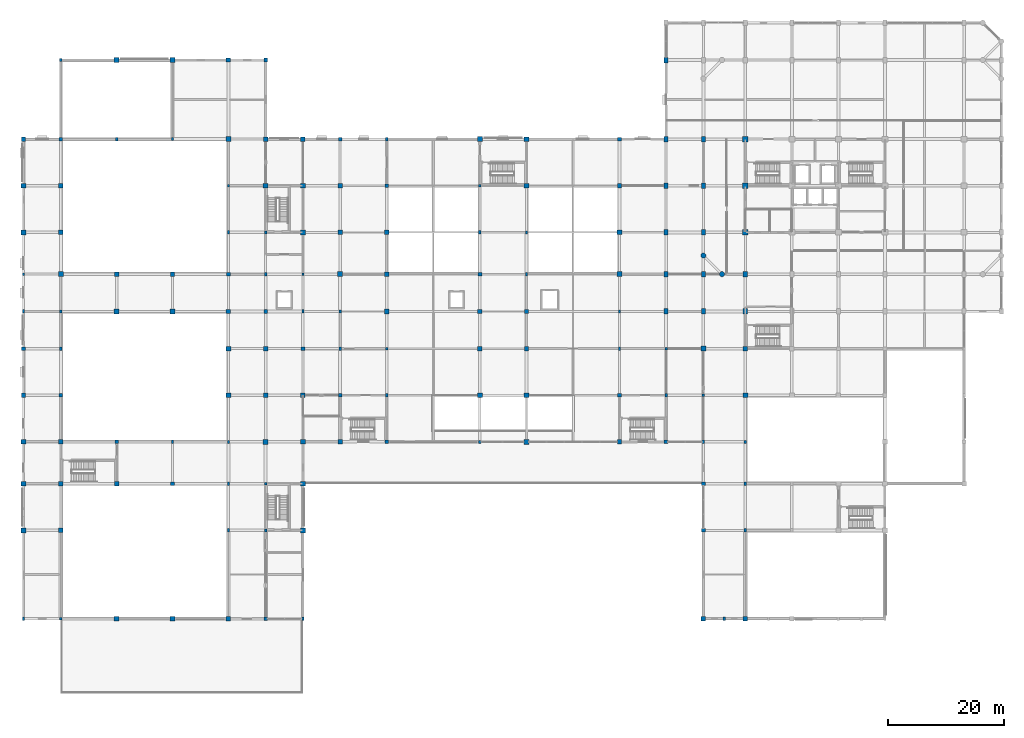
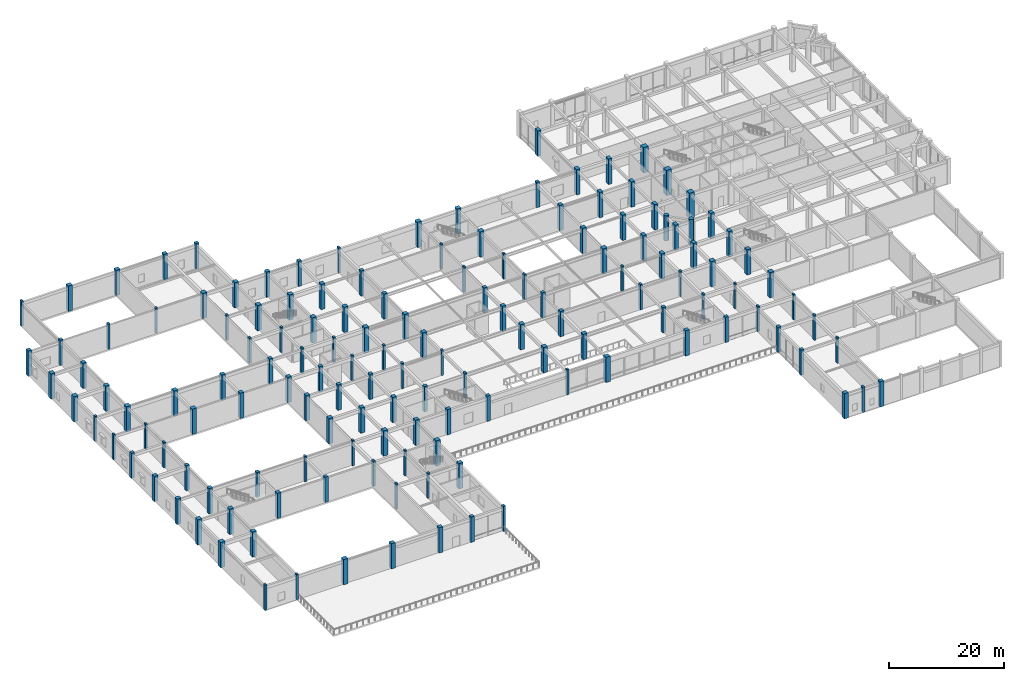
# One storey, part 1 of 36: 146 columns.
"""IFC4 building model written with IfcOpenShell, lengths in metres."""

from ifc_helpers import new_model, si_unit, direction, frame, origin, origin_2d, place, context, subcontext, project, spatial, rectangle, circle, extrude, material, material_profile, profile_set, type_object, element, save


model = new_model("IFC4")

# Units and contexts
model_context = context("Model", 3, precision=1e-05, world=origin(), true_north=direction((0.0, 1.0)))
body_context = subcontext(model_context, "Body", "Model", "MODEL_VIEW")
ifc_project = project(units=[si_unit("LENGTHUNIT", "METRE"), si_unit("AREAUNIT", "SQUARE_METRE"), si_unit("VOLUMEUNIT", "CUBIC_METRE"), si_unit("PLANEANGLEUNIT", "RADIAN"), si_unit("MASSUNIT", "GRAM", prefix="KILO")], contexts=[model_context])

# Site, building, storey
site_placement = place(None, origin())
site = spatial("IfcSite", under=ifc_project, at=site_placement, CompositionType="ELEMENT")
building_placement = place(site_placement, origin())
building = spatial("IfcBuilding", under=site, at=building_placement, Name="Vellmiral Cinema and Media Centre", CompositionType="ELEMENT")
storey_placement = place(building_placement, frame((0.0, 0.0, 5.39990234375)))
storey = spatial("IfcBuildingStorey", under=building, at=storey_placement, Name="L01", CompositionType="ELEMENT", Elevation=5.39990234375)

# Columns
ifc_material_1 = material(Name="Concrete C40/50", Category="concrete")
ifc_material_profile_1 = material_profile(ifc_material_1, rectangle(XDim=1.0, YDim=1.0, at=origin_2d()), Name="RC 1000x1000")
ifc_profile_set_1 = profile_set([ifc_material_profile_1], Name="Concrete C40/50")
column_type_1 = type_object("IfcColumnType", Name="COL-RC-1000x1000", PredefinedType="COLUMN", material=ifc_profile_set_1)
for number, where, z_axis, x_axis, name in (
    (1, (124.0, 79.199951171875, 0.0), (0.0, 0.0, 1.0), (1.0, 0.0, 0.0), "Column L01-148"),
    (2, (124.0, 87.199951171875, 0.0), (0.0, 0.0, 1.0), (1.0, 0.0, 0.0), "Column L01-149"),
    (3, (124.0, 95.199951171875, 0.0), (0.0, 0.0, 1.0), (1.0, 0.0, 0.0), "Column L01-150"),
):
    element("IfcColumn", number, at=place(storey_placement, frame(where, z_axis=z_axis, x_axis=x_axis)), inside=storey, type_object=column_type_1, Name=name, PredefinedType="COLUMN", context=body_context, shape_type="SweptSolid", body=[
        extrude(rectangle(XDim=1.0, YDim=1.0, at=origin_2d()), origin(), (0.0, 0.0, 1.0), 5.400146484375),
    ])
ifc_material_2 = material(Name="Concrete C40/50", Category="concrete")
ifc_material_profile_2 = material_profile(ifc_material_2, rectangle(XDim=0.39990234375, YDim=0.5, at=origin_2d()), Name="RC 400x500")
ifc_profile_set_2 = profile_set([ifc_material_profile_2], Name="Concrete C40/50")
column_type_2 = type_object("IfcColumnType", Name="COL-RC-400x500", PredefinedType="COLUMN", material=ifc_profile_set_2)
for number, where, z_axis, x_axis, name in (
    (4, (0.0, 72.0, 0.0), (0.0, 0.0, 1.0), (1.0, 0.0, 0.0), "Column L01-008"),
    (5, (6.39990234375, 12.800048828125, 0.0), (0.0, 0.0, 1.0), (1.0, 0.0, 0.0), "Column L01-012"),
    (6, (6.39990234375, 65.60009765625, 0.0), (0.0, 0.0, 1.0), (1.0, 0.0, 0.0), "Column L01-018"),
    (7, (6.39990234375, 108.800048828125, 0.0), (0.0, 0.0, 1.0), (1.0, 0.0, 0.0), "Column L01-023"),
    (8, (25.60009765625, 95.199951171875, 0.0), (0.0, 0.0, 1.0), (1.0, 0.0, 0.0), "Column L01-036"),
    (9, (35.199951171875, 43.199951171875, 0.0), (0.0, 0.0, 1.0), (1.0, 0.0, 0.0), "Column L01-041"),
    (10, (35.199951171875, 87.199951171875, 0.0), (0.0, 0.0, 1.0), (1.0, 0.0, 0.0), "Column L01-047"),
    (11, (41.60009765625, 28.0, 0.0), (0.0, 0.0, 1.0), (1.0, 0.0, 0.0), "Column L01-051"),
    (12, (41.60009765625, 36.0, 0.0), (0.0, 0.0, 1.0), (1.0, 0.0, 0.0), "Column L01-052"),
    (13, (41.60009765625, 79.199951171875, 0.0), (0.0, 0.0, 1.0), (1.0, 0.0, 0.0), "Column L01-058"),
    (14, (48.0, 72.0, 0.0), (0.0, 0.0, 1.0), (1.0, 0.0, 0.0), "Column L01-069"),
    (15, (54.39990234375, 65.60009765625, 0.0), (0.0, 0.0, 1.0), (1.0, 0.0, 0.0), "Column L01-076"),
    (16, (62.39990234375, 59.199951171875, 0.0), (0.0, 0.0, 1.0), (1.0, 0.0, 0.0), "Column L01-083"),
    (17, (78.39990234375, 43.199951171875, 0.0), (0.0, 0.0, 1.0), (1.0, 0.0, 0.0), "Column L01-089"),
    (18, (78.39990234375, 87.199951171875, 0.0), (0.0, 0.0, 1.0), (1.0, 0.0, 0.0), "Column L01-095"),
    (19, (86.39990234375, 79.199951171875, 0.0), (0.0, 0.0, 1.0), (1.0, 0.0, 0.0), "Column L01-102"),
    (20, (102.39990234375, 65.60009765625, 0.0), (0.0, 0.0, 1.0), (1.0, 0.0, 0.0), "Column L01-108"),
    (21, (110.39990234375, 59.199951171875, 0.0), (0.0, 0.0, 1.0), (1.0, 0.0, 0.0), "Column L01-115"),
    (22, (116.800048828125, 51.199951171875, 0.0), (0.0, 0.0, 1.0), (1.0, 0.0, 0.0), "Column L01-127"),
    (23, (124.0, 43.199951171875, 0.0), (0.0, 0.0, 1.0), (1.0, 0.0, 0.0), "Column L01-143"),
):
    element("IfcColumn", number, at=place(storey_placement, frame(where, z_axis=z_axis, x_axis=x_axis)), inside=storey, type_object=column_type_2, Name=name, PredefinedType="COLUMN", context=body_context, shape_type="SweptSolid", body=[
        extrude(rectangle(XDim=0.39990234375, YDim=0.5, at=origin_2d()), origin(), (0.0, 0.0, 1.0), 5.400146484375),
    ])
ifc_material_3 = material(Name="Concrete C40/50", Category="concrete")
ifc_material_profile_3 = material_profile(ifc_material_3, rectangle(XDim=0.39990234375, YDim=0.60009765625, at=origin_2d()), Name="RC 400x600")
ifc_profile_set_3 = profile_set([ifc_material_profile_3], Name="Concrete C40/50")
column_type_3 = type_object("IfcColumnType", Name="COL-RC-400x600", PredefinedType="COLUMN", material=ifc_profile_set_3)
for number, where, z_axis, x_axis, name in (
    (24, (0.0, 12.800048828125, 0.0), (0.0, 0.0, 1.0), (1.0, 0.0, 0.0), "Column L01-001"),
    (25, (0.0, 65.60009765625, 0.0), (0.0, 0.0, 1.0), (1.0, 0.0, 0.0), "Column L01-007"),
    (26, (6.39990234375, 59.199951171875, 0.0), (0.0, 0.0, 1.0), (1.0, 0.0, 0.0), "Column L01-017"),
    (27, (16.0, 95.199951171875, 0.0), (0.0, 0.0, 1.0), (1.0, 0.0, 0.0), "Column L01-029"),
    (28, (25.60009765625, 43.199951171875, 0.0), (0.0, 0.0, 1.0), (1.0, 0.0, 0.0), "Column L01-033"),
    (29, (35.199951171875, 28.0, 0.0), (0.0, 0.0, 1.0), (1.0, 0.0, 0.0), "Column L01-039"),
    (30, (35.199951171875, 36.0, 0.0), (0.0, 0.0, 1.0), (1.0, 0.0, 0.0), "Column L01-040"),
    (31, (35.199951171875, 79.199951171875, 0.0), (0.0, 0.0, 1.0), (1.0, 0.0, 0.0), "Column L01-046"),
    (32, (41.60009765625, 72.0, 0.0), (0.0, 0.0, 1.0), (1.0, 0.0, 0.0), "Column L01-057"),
    (33, (48.0, 12.800048828125, 0.0), (0.0, 0.0, 1.0), (1.0, 0.0, 0.0), "Column L01-062"),
    (34, (48.0, 65.60009765625, 0.0), (0.0, 0.0, 1.0), (1.0, 0.0, 0.0), "Column L01-068"),
    (35, (54.39990234375, 59.199951171875, 0.0), (0.0, 0.0, 1.0), (1.0, 0.0, 0.0), "Column L01-075"),
    (36, (62.39990234375, 51.199951171875, 0.0), (0.0, 0.0, 1.0), (1.0, 0.0, 0.0), "Column L01-082"),
    (37, (62.39990234375, 95.199951171875, 0.0), (0.0, 0.0, 1.0), (1.0, 0.0, 0.0), "Column L01-088"),
    (38, (78.39990234375, 79.199951171875, 0.0), (0.0, 0.0, 1.0), (1.0, 0.0, 0.0), "Column L01-094"),
    (39, (86.39990234375, 72.0, 0.0), (0.0, 0.0, 1.0), (1.0, 0.0, 0.0), "Column L01-101"),
    (40, (102.39990234375, 59.199951171875, 0.0), (0.0, 0.0, 1.0), (1.0, 0.0, 0.0), "Column L01-107"),
    (41, (110.39990234375, 51.199951171875, 0.0), (0.0, 0.0, 1.0), (1.0, 0.0, 0.0), "Column L01-114"),
    (42, (116.800048828125, 43.199951171875, 0.0), (0.0, 0.0, 1.0), (1.0, 0.0, 0.0), "Column L01-126"),
    (43, (124.0, 28.0, 0.0), (0.0, 0.0, 1.0), (1.0, 0.0, 0.0), "Column L01-141"),
    (44, (124.0, 36.0, 0.0), (0.0, 0.0, 1.0), (1.0, 0.0, 0.0), "Column L01-142"),
):
    element("IfcColumn", number, at=place(storey_placement, frame(where, z_axis=z_axis, x_axis=x_axis)), inside=storey, type_object=column_type_3, Name=name, PredefinedType="COLUMN", context=body_context, shape_type="SweptSolid", body=[
        extrude(rectangle(XDim=0.39990234375, YDim=0.60009765625, at=origin_2d()), origin(), (0.0, 0.0, 1.0), 5.400146484375),
    ])
ifc_material_4 = material(Name="Concrete C40/50", Category="concrete")
ifc_material_profile_4 = material_profile(ifc_material_4, rectangle(XDim=0.64990234375, YDim=0.64990234375, at=origin_2d()), Name="RC 650x650")
ifc_profile_set_4 = profile_set([ifc_material_profile_4], Name="Concrete C40/50")
column_type_4 = type_object("IfcColumnType", Name="COL-RC-650x650", PredefinedType="COLUMN", material=ifc_profile_set_4)
for number, where, z_axis, x_axis, name in (
    (45, (0.0, 59.199951171875, 0.0), (0.0, 0.0, 1.0), (1.0, 0.0, 0.0), "Column L01-006"),
    (46, (6.39990234375, 51.199951171875, 0.0), (0.0, 0.0, 1.0), (1.0, 0.0, 0.0), "Column L01-016"),
    (47, (6.39990234375, 95.199951171875, 0.0), (0.0, 0.0, 1.0), (1.0, 0.0, 0.0), "Column L01-022"),
    (48, (16.0, 43.199951171875, 0.0), (0.0, 0.0, 1.0), (1.0, 0.0, 0.0), "Column L01-026"),
    (49, (25.60009765625, 36.0, 0.0), (0.0, 0.0, 1.0), (1.0, 0.0, 0.0), "Column L01-032"),
    (50, (35.199951171875, 72.0, 0.0), (0.0, 0.0, 1.0), (1.0, 0.0, 0.0), "Column L01-045"),
    (51, (41.60009765625, 12.800048828125, 0.0), (0.0, 0.0, 1.0), (1.0, 0.0, 0.0), "Column L01-050"),
    (52, (41.60009765625, 65.60009765625, 0.0), (0.0, 0.0, 1.0), (1.0, 0.0, 0.0), "Column L01-056"),
    (53, (41.60009765625, 108.800048828125, 0.0), (0.0, 0.0, 1.0), (1.0, 0.0, 0.0), "Column L01-061"),
    (54, (48.0, 59.199951171875, 0.0), (0.0, 0.0, 1.0), (1.0, 0.0, 0.0), "Column L01-067"),
    (55, (54.39990234375, 51.199951171875, 0.0), (0.0, 0.0, 1.0), (1.0, 0.0, 0.0), "Column L01-074"),
    (56, (54.39990234375, 95.199951171875, 0.0), (0.0, 0.0, 1.0), (1.0, 0.0, 0.0), "Column L01-080"),
    (57, (62.39990234375, 43.199951171875, 0.0), (0.0, 0.0, 1.0), (1.0, 0.0, 0.0), "Column L01-081"),
    (58, (62.39990234375, 87.199951171875, 0.0), (0.0, 0.0, 1.0), (1.0, 0.0, 0.0), "Column L01-087"),
    (59, (78.39990234375, 72.0, 0.0), (0.0, 0.0, 1.0), (1.0, 0.0, 0.0), "Column L01-093"),
    (60, (86.39990234375, 65.60009765625, 0.0), (0.0, 0.0, 1.0), (1.0, 0.0, 0.0), "Column L01-100"),
    (61, (102.39990234375, 51.199951171875, 0.0), (0.0, 0.0, 1.0), (1.0, 0.0, 0.0), "Column L01-106"),
    (62, (102.39990234375, 95.199951171875, 0.0), (0.0, 0.0, 1.0), (1.0, 0.0, 0.0), "Column L01-112"),
    (63, (110.39990234375, 43.199951171875, 0.0), (0.0, 0.0, 1.0), (1.0, 0.0, 0.0), "Column L01-113"),
    (64, (116.800048828125, 28.0, 0.0), (0.0, 0.0, 1.0), (1.0, 0.0, 0.0), "Column L01-124"),
    (65, (116.800048828125, 36.0, 0.0), (0.0, 0.0, 1.0), (1.0, 0.0, 0.0), "Column L01-125"),
):
    element("IfcColumn", number, at=place(storey_placement, frame(where, z_axis=z_axis, x_axis=x_axis)), inside=storey, type_object=column_type_4, Name=name, PredefinedType="COLUMN", context=body_context, shape_type="SweptSolid", body=[
        extrude(rectangle(XDim=0.64990234375, YDim=0.64990234375, at=origin_2d()), origin(), (0.0, 0.0, 1.0), 5.400146484375),
    ])
ifc_material_5 = material(Name="Concrete C40/50", Category="concrete")
ifc_material_profile_5 = material_profile(ifc_material_5, rectangle(XDim=0.699951171875, YDim=0.949951171875, at=origin_2d()), Name="RC 700x950")
ifc_profile_set_5 = profile_set([ifc_material_profile_5], Name="Concrete C40/50")
column_type_5 = type_object("IfcColumnType", Name="COL-RC-700x950", PredefinedType="COLUMN", material=ifc_profile_set_5)
for number, where, z_axis, x_axis, name in (
    (66, (110.39990234375, 65.60009765625, 0.0), (0.0, 0.0, 1.0), (1.0, 0.0, 0.0), "Column L01-116"),
    (67, (110.39990234375, 72.0, 0.0), (0.0, 0.0, 1.0), (1.0, 0.0, 0.0), "Column L01-117"),
    (68, (110.39990234375, 79.199951171875, 0.0), (0.0, 0.0, 1.0), (1.0, 0.0, 0.0), "Column L01-118"),
    (69, (110.39990234375, 87.199951171875, 0.0), (0.0, 0.0, 1.0), (1.0, 0.0, 0.0), "Column L01-119"),
    (70, (110.39990234375, 95.199951171875, 0.0), (0.0, 0.0, 1.0), (1.0, 0.0, 0.0), "Column L01-120"),
    (71, (110.39990234375, 108.800048828125, 0.0), (0.0, 0.0, 1.0), (1.0, 0.0, 0.0), "Column L01-121"),
    (72, (116.800048828125, 65.60009765625, 0.0), (0.0, 0.0, 1.0), (1.0, 0.0, 0.0), "Column L01-129"),
    (73, (116.800048828125, 72.0, 0.0), (0.0, 0.0, 1.0), (1.0, 0.0, 0.0), "Column L01-130"),
    (74, (116.800048828125, 79.199951171875, 0.0), (0.0, 0.0, 1.0), (1.0, 0.0, 0.0), "Column L01-132"),
    (75, (116.800048828125, 87.199951171875, 0.0), (0.0, 0.0, 1.0), (1.0, 0.0, 0.0), "Column L01-133"),
    (76, (116.800048828125, 95.199951171875, 0.0), (0.0, 0.0, 1.0), (1.0, 0.0, 0.0), "Column L01-134"),
    (77, (124.0, 65.60009765625, 0.0), (0.0, 0.0, 1.0), (1.0, 0.0, 0.0), "Column L01-146"),
    (78, (124.0, 72.0, 0.0), (0.0, 0.0, 1.0), (1.0, 0.0, 0.0), "Column L01-147"),
):
    element("IfcColumn", number, at=place(storey_placement, frame(where, z_axis=z_axis, x_axis=x_axis)), inside=storey, type_object=column_type_5, Name=name, PredefinedType="COLUMN", context=body_context, shape_type="SweptSolid", body=[
        extrude(rectangle(XDim=0.699951171875, YDim=0.949951171875, at=origin_2d()), origin(), (0.0, 0.0, 1.0), 5.400146484375),
    ])
ifc_material_6 = material(Name="Concrete C40/50", Category="concrete")
ifc_material_profile_6 = material_profile(ifc_material_6, rectangle(XDim=0.75, YDim=0.75, at=origin_2d()), Name="RC 750x750")
ifc_profile_set_6 = profile_set([ifc_material_profile_6], Name="Concrete C40/50")
column_type_6 = type_object("IfcColumnType", Name="COL-RC-750x750", PredefinedType="COLUMN", material=ifc_profile_set_6)
for number, where, z_axis, x_axis, name in (
    (79, (0.0, 51.199951171875, 0.0), (0.0, 0.0, 1.0), (1.0, 0.0, 0.0), "Column L01-005"),
    (80, (0.0, 95.199951171875, 0.0), (0.0, 0.0, 1.0), (1.0, 0.0, 0.0), "Column L01-011"),
    (81, (6.39990234375, 43.199951171875, 0.0), (0.0, 0.0, 1.0), (1.0, 0.0, 0.0), "Column L01-015"),
    (82, (6.39990234375, 87.199951171875, 0.0), (0.0, 0.0, 1.0), (1.0, 0.0, 0.0), "Column L01-021"),
    (83, (16.0, 36.0, 0.0), (0.0, 0.0, 1.0), (1.0, 0.0, 0.0), "Column L01-025"),
    (84, (25.60009765625, 72.0, 0.0), (0.0, 0.0, 1.0), (1.0, 0.0, 0.0), "Column L01-035"),
    (85, (35.199951171875, 12.800048828125, 0.0), (0.0, 0.0, 1.0), (1.0, 0.0, 0.0), "Column L01-038"),
    (86, (35.199951171875, 65.60009765625, 0.0), (0.0, 0.0, 1.0), (1.0, 0.0, 0.0), "Column L01-044"),
    (87, (35.199951171875, 108.800048828125, 0.0), (0.0, 0.0, 1.0), (1.0, 0.0, 0.0), "Column L01-049"),
    (88, (41.60009765625, 59.199951171875, 0.0), (0.0, 0.0, 1.0), (1.0, 0.0, 0.0), "Column L01-055"),
    (89, (48.0, 51.199951171875, 0.0), (0.0, 0.0, 1.0), (1.0, 0.0, 0.0), "Column L01-066"),
    (90, (48.0, 95.199951171875, 0.0), (0.0, 0.0, 1.0), (1.0, 0.0, 0.0), "Column L01-072"),
    (91, (54.39990234375, 43.199951171875, 0.0), (0.0, 0.0, 1.0), (1.0, 0.0, 0.0), "Column L01-073"),
    (92, (54.39990234375, 87.199951171875, 0.0), (0.0, 0.0, 1.0), (1.0, 0.0, 0.0), "Column L01-079"),
    (93, (62.39990234375, 79.199951171875, 0.0), (0.0, 0.0, 1.0), (1.0, 0.0, 0.0), "Column L01-086"),
    (94, (78.39990234375, 65.60009765625, 0.0), (0.0, 0.0, 1.0), (1.0, 0.0, 0.0), "Column L01-092"),
    (95, (86.39990234375, 59.199951171875, 0.0), (0.0, 0.0, 1.0), (1.0, 0.0, 0.0), "Column L01-099"),
    (96, (102.39990234375, 43.199951171875, 0.0), (0.0, 0.0, 1.0), (1.0, 0.0, 0.0), "Column L01-105"),
    (97, (102.39990234375, 87.199951171875, 0.0), (0.0, 0.0, 1.0), (1.0, 0.0, 0.0), "Column L01-111"),
    (98, (124.0, 12.800048828125, 0.0), (0.0, 0.0, 1.0), (1.0, 0.0, 0.0), "Column L01-140"),
):
    element("IfcColumn", number, at=place(storey_placement, frame(where, z_axis=z_axis, x_axis=x_axis)), inside=storey, type_object=column_type_6, Name=name, PredefinedType="COLUMN", context=body_context, shape_type="SweptSolid", body=[
        extrude(rectangle(XDim=0.75, YDim=0.75, at=origin_2d()), origin(), (0.0, 0.0, 1.0), 5.400146484375),
    ])
ifc_material_7 = material(Name="Concrete C40/50", Category="concrete")
ifc_material_profile_7 = material_profile(ifc_material_7, rectangle(XDim=0.800048828125, YDim=0.800048828125, at=origin_2d()), Name="RC 800x800")
ifc_profile_set_7 = profile_set([ifc_material_profile_7], Name="Concrete C40/50")
column_type_7 = type_object("IfcColumnType", Name="COL-RC-800x800", PredefinedType="COLUMN", material=ifc_profile_set_7)
for number, where, z_axis, x_axis, name in (
    (99, (0.0, 43.199951171875, 0.0), (0.0, 0.0, 1.0), (1.0, 0.0, 0.0), "Column L01-004"),
    (100, (0.0, 87.199951171875, 0.0), (0.0, 0.0, 1.0), (1.0, 0.0, 0.0), "Column L01-010"),
    (101, (6.39990234375, 28.0, 0.0), (0.0, 0.0, 1.0), (1.0, 0.0, 0.0), "Column L01-013"),
    (102, (6.39990234375, 36.0, 0.0), (0.0, 0.0, 1.0), (1.0, 0.0, 0.0), "Column L01-014"),
    (103, (6.39990234375, 79.199951171875, 0.0), (0.0, 0.0, 1.0), (1.0, 0.0, 0.0), "Column L01-020"),
    (104, (16.0, 72.0, 0.0), (0.0, 0.0, 1.0), (1.0, 0.0, 0.0), "Column L01-028"),
    (105, (25.60009765625, 12.800048828125, 0.0), (0.0, 0.0, 1.0), (1.0, 0.0, 0.0), "Column L01-031"),
    (106, (25.60009765625, 65.60009765625, 0.0), (0.0, 0.0, 1.0), (1.0, 0.0, 0.0), "Column L01-034"),
    (107, (25.60009765625, 108.800048828125, 0.0), (0.0, 0.0, 1.0), (1.0, 0.0, 0.0), "Column L01-037"),
    (108, (35.199951171875, 59.199951171875, 0.0), (0.0, 0.0, 1.0), (1.0, 0.0, 0.0), "Column L01-043"),
    (109, (41.60009765625, 51.199951171875, 0.0), (0.0, 0.0, 1.0), (1.0, 0.0, 0.0), "Column L01-054"),
    (110, (41.60009765625, 95.199951171875, 0.0), (0.0, 0.0, 1.0), (1.0, 0.0, 0.0), "Column L01-060"),
    (111, (48.0, 43.199951171875, 0.0), (0.0, 0.0, 1.0), (1.0, 0.0, 0.0), "Column L01-065"),
    (112, (48.0, 87.199951171875, 0.0), (0.0, 0.0, 1.0), (1.0, 0.0, 0.0), "Column L01-071"),
    (113, (54.39990234375, 79.199951171875, 0.0), (0.0, 0.0, 1.0), (1.0, 0.0, 0.0), "Column L01-078"),
    (114, (62.39990234375, 72.0, 0.0), (0.0, 0.0, 1.0), (1.0, 0.0, 0.0), "Column L01-085"),
    (115, (78.39990234375, 59.199951171875, 0.0), (0.0, 0.0, 1.0), (1.0, 0.0, 0.0), "Column L01-091"),
    (116, (86.39990234375, 51.199951171875, 0.0), (0.0, 0.0, 1.0), (1.0, 0.0, 0.0), "Column L01-098"),
    (117, (86.39990234375, 95.199951171875, 0.0), (0.0, 0.0, 1.0), (1.0, 0.0, 0.0), "Column L01-104"),
    (118, (102.39990234375, 79.199951171875, 0.0), (0.0, 0.0, 1.0), (1.0, 0.0, 0.0), "Column L01-110"),
    (119, (116.800048828125, 12.800048828125, 0.0), (0.0, 0.0, 1.0), (1.0, 0.0, 0.0), "Column L01-123"),
    (120, (124.0, 59.199951171875, 0.0), (0.0, 0.0, 1.0), (1.0, 0.0, 0.0), "Column L01-145"),
):
    element("IfcColumn", number, at=place(storey_placement, frame(where, z_axis=z_axis, x_axis=x_axis)), inside=storey, type_object=column_type_7, Name=name, PredefinedType="COLUMN", context=body_context, shape_type="SweptSolid", body=[
        extrude(rectangle(XDim=0.800048828125, YDim=0.800048828125, at=origin_2d()), origin(), (0.0, 0.0, 1.0), 5.400146484375),
    ])
ifc_material_8 = material(Name="Concrete C40/50", Category="concrete")
ifc_material_profile_8 = material_profile(ifc_material_8, rectangle(XDim=0.85009765625, YDim=0.85009765625, at=origin_2d()), Name="RC 850x850")
ifc_profile_set_8 = profile_set([ifc_material_profile_8], Name="Concrete C40/50")
column_type_8 = type_object("IfcColumnType", Name="COL-RC-850x850", PredefinedType="COLUMN", material=ifc_profile_set_8)
for number, where, z_axis, x_axis, name in (
    (121, (0.0, 28.0, 0.0), (0.0, 0.0, 1.0), (1.0, 0.0, 0.0), "Column L01-002"),
    (122, (0.0, 36.0, 0.0), (0.0, 0.0, 1.0), (1.0, 0.0, 0.0), "Column L01-003"),
    (123, (0.0, 79.199951171875, 0.0), (0.0, 0.0, 1.0), (1.0, 0.0, 0.0), "Column L01-009"),
    (124, (6.39990234375, 72.0, 0.0), (0.0, 0.0, 1.0), (1.0, 0.0, 0.0), "Column L01-019"),
    (125, (16.0, 12.800048828125, 0.0), (0.0, 0.0, 1.0), (1.0, 0.0, 0.0), "Column L01-024"),
    (126, (16.0, 65.60009765625, 0.0), (0.0, 0.0, 1.0), (1.0, 0.0, 0.0), "Column L01-027"),
    (127, (16.0, 108.800048828125, 0.0), (0.0, 0.0, 1.0), (1.0, 0.0, 0.0), "Column L01-030"),
    (128, (35.199951171875, 51.199951171875, 0.0), (0.0, 0.0, 1.0), (1.0, 0.0, 0.0), "Column L01-042"),
    (129, (35.199951171875, 95.199951171875, 0.0), (0.0, 0.0, 1.0), (1.0, 0.0, 0.0), "Column L01-048"),
    (130, (41.60009765625, 43.199951171875, 0.0), (0.0, 0.0, 1.0), (1.0, 0.0, 0.0), "Column L01-053"),
    (131, (41.60009765625, 87.199951171875, 0.0), (0.0, 0.0, 1.0), (1.0, 0.0, 0.0), "Column L01-059"),
    (132, (48.0, 28.0, 0.0), (0.0, 0.0, 1.0), (1.0, 0.0, 0.0), "Column L01-063"),
    (133, (48.0, 36.0, 0.0), (0.0, 0.0, 1.0), (1.0, 0.0, 0.0), "Column L01-064"),
    (134, (48.0, 79.199951171875, 0.0), (0.0, 0.0, 1.0), (1.0, 0.0, 0.0), "Column L01-070"),
    (135, (54.39990234375, 72.0, 0.0), (0.0, 0.0, 1.0), (1.0, 0.0, 0.0), "Column L01-077"),
    (136, (62.39990234375, 65.60009765625, 0.0), (0.0, 0.0, 1.0), (1.0, 0.0, 0.0), "Column L01-084"),
    (137, (78.39990234375, 51.199951171875, 0.0), (0.0, 0.0, 1.0), (1.0, 0.0, 0.0), "Column L01-090"),
    (138, (78.39990234375, 95.199951171875, 0.0), (0.0, 0.0, 1.0), (1.0, 0.0, 0.0), "Column L01-096"),
    (139, (86.39990234375, 43.199951171875, 0.0), (0.0, 0.0, 1.0), (1.0, 0.0, 0.0), "Column L01-097"),
    (140, (86.39990234375, 87.199951171875, 0.0), (0.0, 0.0, 1.0), (1.0, 0.0, 0.0), "Column L01-103"),
    (141, (102.39990234375, 72.0, 0.0), (0.0, 0.0, 1.0), (1.0, 0.0, 0.0), "Column L01-109"),
    (142, (116.800048828125, 59.199951171875, 0.0), (0.0, 0.0, 1.0), (1.0, 0.0, 0.0), "Column L01-128"),
    (143, (124.0, 51.199951171875, 0.0), (0.0, 0.0, 1.0), (1.0, 0.0, 0.0), "Column L01-144"),
):
    element("IfcColumn", number, at=place(storey_placement, frame(where, z_axis=z_axis, x_axis=x_axis)), inside=storey, type_object=column_type_8, Name=name, PredefinedType="COLUMN", context=body_context, shape_type="SweptSolid", body=[
        extrude(rectangle(XDim=0.85009765625, YDim=0.85009765625, at=origin_2d()), origin(), (0.0, 0.0, 1.0), 5.400146484375),
    ])
ifc_material_9 = material(Name="Concrete C40/50", Category="concrete")
ifc_material_profile_9 = material_profile(ifc_material_9, circle(Radius=0.449951171875, at=origin_2d()), Name="RC D900")
ifc_profile_set_9 = profile_set([ifc_material_profile_9], Name="Concrete C40/50")
column_type_9 = type_object("IfcColumnType", Name="COL-RCC-D900", PredefinedType="COLUMN", material=ifc_profile_set_9)
for number, where, z_axis, x_axis, name in (
    (144, (116.800048828125, 75.199951171875, 0.0), (0.0, 0.0, 1.0), (1.0, 0.0, 0.0), "Column L01-131"),
    (145, (120.0, 72.0, 0.0), (0.0, 0.0, 1.0), (1.0, 0.0, 0.0), "Column L01-138"),
):
    element("IfcColumn", number, at=place(storey_placement, frame(where, z_axis=z_axis, x_axis=x_axis)), inside=storey, type_object=column_type_9, Name=name, PredefinedType="COLUMN", context=body_context, shape_type="SweptSolid", body=[
        extrude(circle(Radius=0.449951171875, at=origin_2d()), origin(), (0.0, 0.0, 1.0), 5.400146484375),
    ])
ifc_material_10 = material(Name="Vosges Red Sandstone Masonry", Category="masonry")
ifc_material_profile_10 = material_profile(ifc_material_10, rectangle(XDim=0.449951171875, YDim=0.60009765625, at=origin_2d()), Name="SAND 450x600")
ifc_profile_set_10 = profile_set([ifc_material_profile_10], Name="Vosges Red Sandstone Masonry")
column_type_10 = type_object("IfcColumnType", Name="PIL-SAND-450x600", PredefinedType="PILASTER", material=ifc_profile_set_10)
column_placement = place(storey_placement, frame((120.39990234375, 12.800048828125, 0.0), z_axis=(0.0, 0.0, 1.0), x_axis=(1.0, 0.0, 0.0)))
element("IfcColumn", 146, at=column_placement, inside=storey, type_object=column_type_10, Name="Sandstone Arcade Pilaster L01-04", PredefinedType="PILASTER", context=body_context, shape_type="SweptSolid", body=[
    extrude(rectangle(XDim=0.449951171875, YDim=0.60009765625, at=origin_2d()), origin(), (0.0, 0.0, 1.0), 5.400146484375),
])

save(model, "model.ifc")
